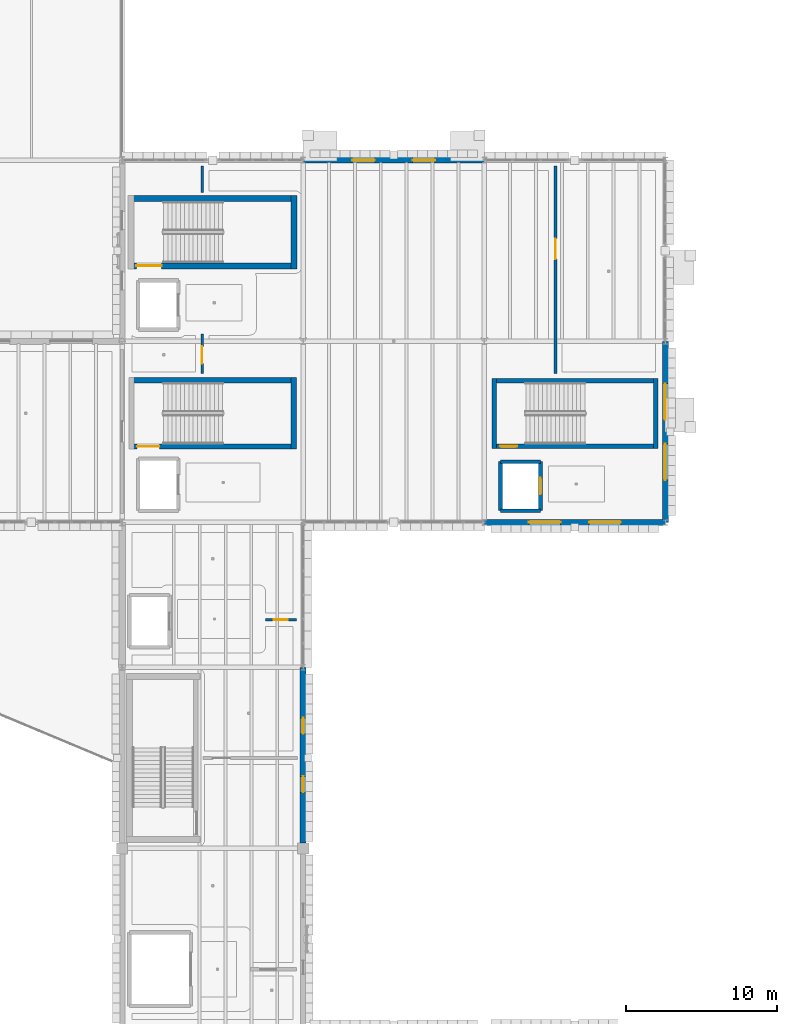
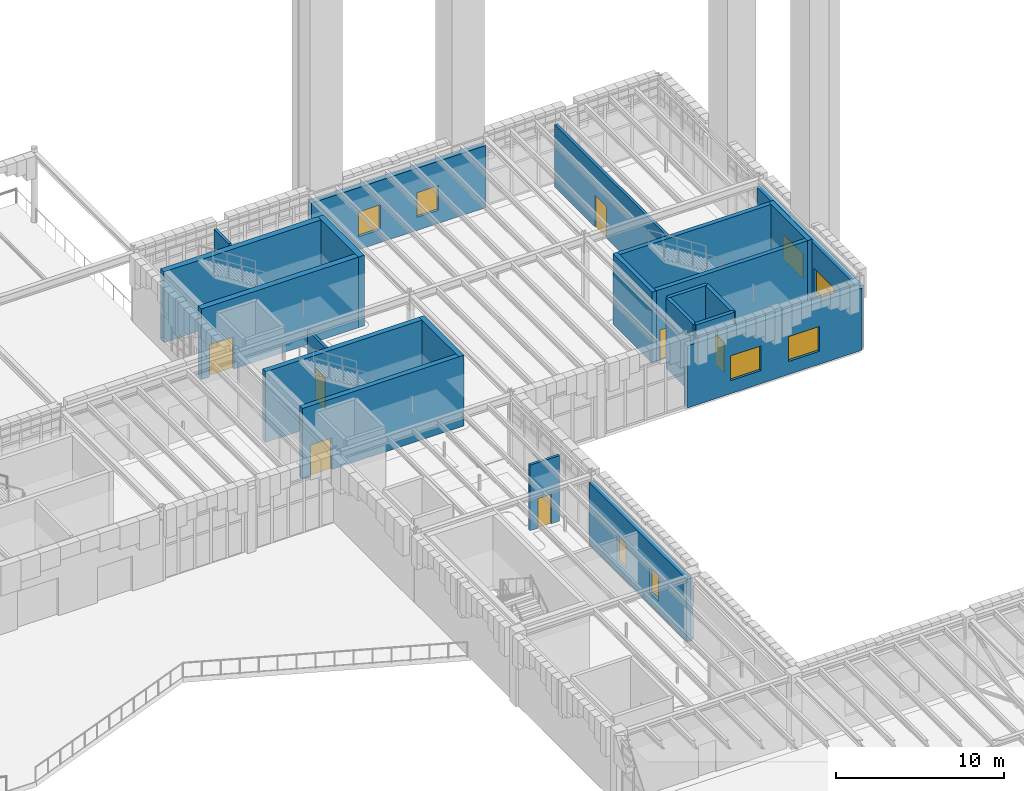
# One storey, part 57 of 103: 22 walls, 8 windows, 7 doors, 15 openings.
"""IFC4 building model written with IfcOpenShell, lengths in metres."""

from ifc_helpers import new_model, si_unit, direction, frame, frame_2d, origin, place, context, subcontext, project, spatial, rectangle, extrude, material, layer, layer_set, type_object, element, fill, save


model = new_model("IFC4")

# Units and contexts
model_context = context("Model", 3, precision=1e-05, world=origin(), true_north=direction((0.0, 1.0)))
body_context = subcontext(model_context, "Body", "Model", "MODEL_VIEW")
ifc_project = project(units=[si_unit("LENGTHUNIT", "METRE"), si_unit("AREAUNIT", "SQUARE_METRE"), si_unit("VOLUMEUNIT", "CUBIC_METRE"), si_unit("PLANEANGLEUNIT", "RADIAN"), si_unit("MASSUNIT", "GRAM", prefix="KILO")], contexts=[model_context])

# Site, building, storey
site_placement = place(None, origin())
site = spatial("IfcSite", under=ifc_project, at=site_placement, CompositionType="ELEMENT")
building_placement = place(site_placement, origin())
building = spatial("IfcBuilding", under=site, at=building_placement, Name="Zlatogorsky Bluff Art Gallery", CompositionType="ELEMENT")
storey_placement = place(building_placement, origin())
storey = spatial("IfcBuildingStorey", under=building, at=storey_placement, Name="L00", CompositionType="ELEMENT", Elevation=0.0)

# Wall, openings, windows
ifc_material_1 = material(Name="Precast concrete C40/50", Category="concrete")
ifc_layer_1 = layer(ifc_material_1, 0.39990234375)
ifc_layer_set_1 = layer_set([ifc_layer_1], Name="Exterior Wall EW-02 400mm")
wall_type_1 = type_object("IfcWallType", Name="Exterior Wall EW-02 400mm", PredefinedType="SOLIDWALL", material=ifc_layer_set_1)
wall_1_placement = place(storey_placement, frame((132.0, 62.77001953125, 0.0), z_axis=(0.0, 0.0, 1.0), x_axis=(0.0, 1.0, 0.0)))
wall_1 = element("IfcWall", 1, at=wall_1_placement, inside=storey, type_object=wall_type_1, Name="Exterior wall EW-02 L00 E 10.6", PredefinedType="SOLIDWALL", context=body_context, shape_type="SweptSolid", body=[
    extrude(rectangle(XDim=11.6298828125, YDim=0.39990234375, at=frame_2d((5.81494140625, 0.0))), origin(), (0.0, 0.0, 1.0), 4.56005859375),
])
opening_1_placement = place(wall_1_placement, frame((3.35205078125, 0.0, 0.949951171875)))
opening_1 = element("IfcOpeningElement", 2, at=opening_1_placement, cuts=wall_1, Name="Opening WN-14", PredefinedType="OPENING", context=body_context, shape_type="SweptSolid", body=[
    extrude(rectangle(XDim=1.050048828125, YDim=1.800048828125, at=frame_2d((0.52490234375, 0.89990234375))), frame((0.0, 0.2099609375, 0.0), z_axis=(0.0, -1.0, 0.0), x_axis=(1.0, 0.0, 0.0)), (0.0, 0.0, 1.0), 0.419921875),
])
opening_2_placement = place(wall_1_placement, frame((7.22802734375, 0.0, 0.949951171875)))
opening_2 = element("IfcOpeningElement", 3, at=opening_2_placement, cuts=wall_1, Name="Opening WN-14", PredefinedType="OPENING", context=body_context, shape_type="SweptSolid", body=[
    extrude(rectangle(XDim=1.050048828125, YDim=1.800048828125, at=frame_2d((0.52490234375, 0.89990234375))), frame((0.0, 0.2099609375, 0.0), z_axis=(0.0, -1.0, 0.0), x_axis=(1.0, 0.0, 0.0)), (0.0, 0.0, 1.0), 0.419921875),
])
ifc_material_2 = material(Name="Bronze-Anodised Aluminium Triple Glazing", Category="aluminium")
window_type_1 = type_object("IfcWindowType", Name="Pointed-Reveal Window WN-14 1050x1800", PartitioningType="SINGLE_PANEL", PredefinedType="WINDOW", material=ifc_material_2)
window_1_placement = place(opening_1_placement, origin())
window_1 = element("IfcWindow", 4, at=window_1_placement, inside=storey, type_object=window_type_1, Name="Window WN-14 L00.E.10.6.1", OverallHeight=1.800048828125, OverallWidth=1.050048828125, PartitioningType="SINGLE_PANEL", PredefinedType="WINDOW", context=body_context, shape_type="SweptSolid", body=[
    extrude(rectangle(XDim=1.050048828125, YDim=1.800048828125, at=frame_2d((0.52490234375, 0.89990234375))), frame((0.0, 0.030029296875, 0.0), z_axis=(0.0, -1.0, 0.0), x_axis=(1.0, 0.0, 0.0)), (0.0, 0.0, 1.0), 0.06005859375),
])
fill(opening_1, window_1)
window_2_placement = place(opening_2_placement, origin())
window_2 = element("IfcWindow", 5, at=window_2_placement, inside=storey, type_object=window_type_1, Name="Window WN-14 L00.E.10.6.2", OverallHeight=1.800048828125, OverallWidth=1.050048828125, PartitioningType="SINGLE_PANEL", PredefinedType="WINDOW", context=body_context, shape_type="SweptSolid", body=[
    extrude(rectangle(XDim=1.050048828125, YDim=1.800048828125, at=frame_2d((0.52490234375, 0.89990234375))), frame((0.0, 0.030029296875, 0.0), z_axis=(0.0, -1.0, 0.0), x_axis=(1.0, 0.0, 0.0)), (0.0, 0.0, 1.0), 0.06005859375),
])
fill(opening_2, window_2)

wall_2_placement = place(storey_placement, frame((144.0, 108.0, 0.0), z_axis=(0.0, 0.0, 1.0), x_axis=(-1.0, 0.0, 0.0)))
wall_2 = element("IfcWall", 6, at=wall_2_placement, inside=storey, type_object=wall_type_1, Name="Exterior wall EW-02 L00 N 11.9", PredefinedType="SOLIDWALL", context=body_context, shape_type="SweptSolid", body=[
    extrude(rectangle(XDim=12.0, YDim=0.39990234375, at=frame_2d((6.0, 0.0))), origin(), (0.0, 0.0, 1.0), 4.52001953125),
])
opening_3_placement = place(wall_2_placement, frame((3.25, 0.0, 0.949951171875)))
opening_3 = element("IfcOpeningElement", 7, at=opening_3_placement, cuts=wall_2, Name="Opening WN-17", PredefinedType="OPENING", context=body_context, shape_type="SweptSolid", body=[
    extrude(rectangle(XDim=1.5, YDim=1.800048828125, at=frame_2d((0.75, 0.89990234375))), frame((0.0, 0.2099609375, 0.0), z_axis=(0.0, -1.0, 0.0), x_axis=(1.0, 0.0, 0.0)), (0.0, 0.0, 1.0), 0.419921875),
])
opening_4_placement = place(wall_2_placement, frame((7.25, 0.0, 0.949951171875)))
opening_4 = element("IfcOpeningElement", 8, at=opening_4_placement, cuts=wall_2, Name="Opening WN-17", PredefinedType="OPENING", context=body_context, shape_type="SweptSolid", body=[
    extrude(rectangle(XDim=1.5, YDim=1.800048828125, at=frame_2d((0.75, 0.89990234375))), frame((0.0, 0.2099609375, 0.0), z_axis=(0.0, -1.0, 0.0), x_axis=(1.0, 0.0, 0.0)), (0.0, 0.0, 1.0), 0.419921875),
])
window_type_2 = type_object("IfcWindowType", Name="Pointed-Reveal Window WN-17 1500x1800", PartitioningType="SINGLE_PANEL", PredefinedType="WINDOW", material=ifc_material_2)
window_3_placement = place(opening_3_placement, origin())
window_3 = element("IfcWindow", 9, at=window_3_placement, inside=storey, type_object=window_type_2, Name="Window WN-17 L00.N.11.9.1", OverallHeight=1.800048828125, OverallWidth=1.5, PartitioningType="SINGLE_PANEL", PredefinedType="WINDOW", context=body_context, shape_type="SweptSolid", body=[
    extrude(rectangle(XDim=1.5, YDim=1.800048828125, at=frame_2d((0.75, 0.89990234375))), frame((0.0, 0.030029296875, 0.0), z_axis=(0.0, -1.0, 0.0), x_axis=(1.0, 0.0, 0.0)), (0.0, 0.0, 1.0), 0.06005859375),
])
fill(opening_3, window_3)
window_4_placement = place(opening_4_placement, origin())
window_4 = element("IfcWindow", 10, at=window_4_placement, inside=storey, type_object=window_type_2, Name="Window WN-17 L00.N.11.9.2", OverallHeight=1.800048828125, OverallWidth=1.5, PartitioningType="SINGLE_PANEL", PredefinedType="WINDOW", context=body_context, shape_type="SweptSolid", body=[
    extrude(rectangle(XDim=1.5, YDim=1.800048828125, at=frame_2d((0.75, 0.89990234375))), frame((0.0, 0.030029296875, 0.0), z_axis=(0.0, -1.0, 0.0), x_axis=(1.0, 0.0, 0.0)), (0.0, 0.0, 1.0), 0.06005859375),
])
fill(opening_4, window_4)

wall_3_placement = place(storey_placement, frame((144.0, 84.0, 0.0), z_axis=(0.0, 0.0, 1.0), x_axis=(1.0, 0.0, 0.0)))
wall_3 = element("IfcWall", 11, at=wall_3_placement, inside=storey, type_object=wall_type_1, Name="Exterior wall EW-02 L00 S 12.8", PredefinedType="SOLIDWALL", context=body_context, shape_type="SweptSolid", body=[
    extrude(rectangle(XDim=12.0, YDim=0.39990234375, at=frame_2d((6.0, 0.0))), origin(), (0.0, 0.0, 1.0), 4.52001953125),
])
opening_5_placement = place(wall_3_placement, frame((2.949951171875, 0.0, 0.949951171875)))
opening_5 = element("IfcOpeningElement", 12, at=opening_5_placement, cuts=wall_3, Name="Opening WN-20", PredefinedType="OPENING", context=body_context, shape_type="SweptSolid", body=[
    extrude(rectangle(XDim=2.10009765625, YDim=1.800048828125, at=frame_2d((1.050048828125, 0.89990234375))), frame((0.0, 0.2099609375, 0.0), z_axis=(0.0, -1.0, 0.0), x_axis=(1.0, 0.0, 0.0)), (0.0, 0.0, 1.0), 0.419921875),
])
opening_6_placement = place(wall_3_placement, frame((6.949951171875, 0.0, 0.949951171875)))
opening_6 = element("IfcOpeningElement", 13, at=opening_6_placement, cuts=wall_3, Name="Opening WN-20", PredefinedType="OPENING", context=body_context, shape_type="SweptSolid", body=[
    extrude(rectangle(XDim=2.10009765625, YDim=1.800048828125, at=frame_2d((1.050048828125, 0.89990234375))), frame((0.0, 0.2099609375, 0.0), z_axis=(0.0, -1.0, 0.0), x_axis=(1.0, 0.0, 0.0)), (0.0, 0.0, 1.0), 0.419921875),
])
window_type_3 = type_object("IfcWindowType", Name="Pointed-Reveal Window WN-20 2100x1800", PartitioningType="SINGLE_PANEL", PredefinedType="WINDOW", material=ifc_material_2)
window_5_placement = place(opening_5_placement, origin())
window_5 = element("IfcWindow", 14, at=window_5_placement, inside=storey, type_object=window_type_3, Name="Window WN-20 L00.S.12.8.1", OverallHeight=1.800048828125, OverallWidth=2.10009765625, PartitioningType="SINGLE_PANEL", PredefinedType="WINDOW", context=body_context, shape_type="SweptSolid", body=[
    extrude(rectangle(XDim=2.10009765625, YDim=1.800048828125, at=frame_2d((1.050048828125, 0.89990234375))), frame((0.0, 0.030029296875, 0.0), z_axis=(0.0, -1.0, 0.0), x_axis=(1.0, 0.0, 0.0)), (0.0, 0.0, 1.0), 0.06005859375),
])
fill(opening_5, window_5)
window_6_placement = place(opening_6_placement, origin())
window_6 = element("IfcWindow", 15, at=window_6_placement, inside=storey, type_object=window_type_3, Name="Window WN-20 L00.S.12.8.2", OverallHeight=1.800048828125, OverallWidth=2.10009765625, PartitioningType="SINGLE_PANEL", PredefinedType="WINDOW", context=body_context, shape_type="SweptSolid", body=[
    extrude(rectangle(XDim=2.10009765625, YDim=1.800048828125, at=frame_2d((1.050048828125, 0.89990234375))), frame((0.0, 0.030029296875, 0.0), z_axis=(0.0, -1.0, 0.0), x_axis=(1.0, 0.0, 0.0)), (0.0, 0.0, 1.0), 0.06005859375),
])
fill(opening_6, window_6)

wall_4_placement = place(storey_placement, frame((156.0, 84.0, 0.0), z_axis=(0.0, 0.0, 1.0), x_axis=(0.0, 1.0, 0.0)))
wall_4 = element("IfcWall", 16, at=wall_4_placement, inside=storey, type_object=wall_type_1, Name="Exterior wall EW-02 L00 E 12.8", PredefinedType="SOLIDWALL", context=body_context, shape_type="SweptSolid", body=[
    extrude(rectangle(XDim=12.0, YDim=0.39990234375, at=frame_2d((6.0, 0.0))), origin(), (0.0, 0.0, 1.0), 4.52001953125),
])
opening_7_placement = place(wall_4_placement, frame((2.800048828125, 0.0, 0.949951171875)))
opening_7 = element("IfcOpeningElement", 17, at=opening_7_placement, cuts=wall_4, Name="Opening WN-21", PredefinedType="OPENING", context=body_context, shape_type="SweptSolid", body=[
    extrude(rectangle(XDim=2.39990234375, YDim=1.800048828125, at=frame_2d((1.199951171875, 0.89990234375))), frame((0.0, 0.2099609375, 0.0), z_axis=(0.0, -1.0, 0.0), x_axis=(1.0, 0.0, 0.0)), (0.0, 0.0, 1.0), 0.419921875),
])
opening_8_placement = place(wall_4_placement, frame((6.800048828125, 0.0, 0.949951171875)))
opening_8 = element("IfcOpeningElement", 18, at=opening_8_placement, cuts=wall_4, Name="Opening WN-21", PredefinedType="OPENING", context=body_context, shape_type="SweptSolid", body=[
    extrude(rectangle(XDim=2.39990234375, YDim=1.800048828125, at=frame_2d((1.199951171875, 0.89990234375))), frame((0.0, 0.2099609375, 0.0), z_axis=(0.0, -1.0, 0.0), x_axis=(1.0, 0.0, 0.0)), (0.0, 0.0, 1.0), 0.419921875),
])
window_type_4 = type_object("IfcWindowType", Name="Pointed-Reveal Window WN-21 2400x1800", PartitioningType="SINGLE_PANEL", PredefinedType="WINDOW", material=ifc_material_2)
window_7_placement = place(opening_7_placement, origin())
window_7 = element("IfcWindow", 19, at=window_7_placement, inside=storey, type_object=window_type_4, Name="Window WN-21 L00.E.12.8.1", OverallHeight=1.800048828125, OverallWidth=2.39990234375, PartitioningType="SINGLE_PANEL", PredefinedType="WINDOW", context=body_context, shape_type="SweptSolid", body=[
    extrude(rectangle(XDim=2.39990234375, YDim=1.800048828125, at=frame_2d((1.199951171875, 0.89990234375))), frame((0.0, 0.030029296875, 0.0), z_axis=(0.0, -1.0, 0.0), x_axis=(1.0, 0.0, 0.0)), (0.0, 0.0, 1.0), 0.06005859375),
])
fill(opening_7, window_7)
window_8_placement = place(opening_8_placement, origin())
window_8 = element("IfcWindow", 20, at=window_8_placement, inside=storey, type_object=window_type_4, Name="Window WN-21 L00.E.12.8.2", OverallHeight=1.800048828125, OverallWidth=2.39990234375, PartitioningType="SINGLE_PANEL", PredefinedType="WINDOW", context=body_context, shape_type="SweptSolid", body=[
    extrude(rectangle(XDim=2.39990234375, YDim=1.800048828125, at=frame_2d((1.199951171875, 0.89990234375))), frame((0.0, 0.030029296875, 0.0), z_axis=(0.0, -1.0, 0.0), x_axis=(1.0, 0.0, 0.0)), (0.0, 0.0, 1.0), 0.06005859375),
])
fill(opening_8, window_8)

# Wall, opening, door
ifc_material_3 = material(Name="Concrete C30/37", Category="concrete")
ifc_layer_2 = layer(ifc_material_3, 0.179931640625)
ifc_layer_set_2 = layer_set([ifc_layer_2], Name="Interior Wall IW-02 180mm")
wall_type_2 = type_object("IfcWallType", Name="Interior Wall IW-02 180mm", PredefinedType="PARTITIONING", material=ifc_layer_set_2)
wall_5_placement = place(storey_placement, frame((129.510009765625, 77.544921875, 0.0), z_axis=(0.0, 0.0, 1.0), x_axis=(1.0, 0.0, 0.0)))
wall_5 = element("IfcWall", 21, at=wall_5_placement, inside=storey, type_object=wall_type_2, Name="Partition IW-02 between L00-C2-13 and L00-C2-14", PredefinedType="PARTITIONING", context=body_context, shape_type="SweptSolid", body=[
    extrude(rectangle(XDim=2.0400390625, YDim=0.179931640625, at=frame_2d((1.02001953125, 0.0))), origin(), (0.0, 0.0, 1.0), 4.760009765625),
])
opening_9_placement = place(wall_5_placement, frame((0.5400390625, 0.0, 0.0)))
opening_9 = element("IfcOpeningElement", 22, at=opening_9_placement, cuts=wall_5, Name="Opening ID-01", PredefinedType="OPENING", context=body_context, shape_type="SweptSolid", body=[
    extrude(rectangle(XDim=0.919921875, YDim=2.14990234375, at=frame_2d((0.4599609375, 1.074951171875))), frame((0.0, 0.099853515625, 0.0), z_axis=(0.0, -1.0, 0.0), x_axis=(1.0, 0.0, 0.0)), (0.0, 0.0, 1.0), 0.199951171875),
])
ifc_material_4 = material(Name="Anodised Aluminium and Laminated Timber", Category="wood")
door_type_1 = type_object("IfcDoorType", Name="Interior Door ID-01 920x2150", OperationType="SINGLE_SWING_LEFT", PredefinedType="DOOR", material=ifc_material_4)
door_1_placement = place(opening_9_placement, origin())
door_1 = element("IfcDoor", 23, at=door_1_placement, inside=storey, type_object=door_type_1, Name="Door ID-01 L00-C2-13-L00-C2-14", OperationType="SINGLE_SWING_LEFT", OverallHeight=2.14990234375, OverallWidth=0.919921875, PredefinedType="DOOR", context=body_context, shape_type="SweptSolid", body=[
    extrude(rectangle(XDim=0.919921875, YDim=2.14990234375, at=frame_2d((0.4599609375, 1.074951171875))), frame((0.0, 0.02490234375, 0.0), z_axis=(0.0, -1.0, 0.0), x_axis=(1.0, 0.0, 0.0)), (0.0, 0.0, 1.0), 0.050048828125),
])
fill(opening_9, door_1)

wall_6_placement = place(storey_placement, frame((125.304931640625, 93.8701171875, 0.0), z_axis=(0.0, 0.0, 1.0), x_axis=(0.0, 1.0, 0.0)))
wall_6 = element("IfcWall", 24, at=wall_6_placement, inside=storey, type_object=wall_type_2, Name="Partition IW-02 between L00-ST-11 and L00-ST-12-S1", PredefinedType="PARTITIONING", context=body_context, shape_type="SweptSolid", body=[
    extrude(rectangle(XDim=2.60986328125, YDim=0.179931640625, at=frame_2d((1.304931640625, 0.0))), origin(), (0.0, 0.0, 1.0), 4.530029296875),
])
opening_10_placement = place(wall_6_placement, frame((0.64990234375, 0.0, 0.0)))
opening_10 = element("IfcOpeningElement", 25, at=opening_10_placement, cuts=wall_6, Name="Opening ID-06", PredefinedType="OPENING", context=body_context, shape_type="SweptSolid", body=[
    extrude(rectangle(XDim=1.14990234375, YDim=2.25, at=frame_2d((0.574951171875, 1.125))), frame((0.0, 0.099853515625, 0.0), z_axis=(0.0, -1.0, 0.0), x_axis=(1.0, 0.0, 0.0)), (0.0, 0.0, 1.0), 0.199951171875),
])
door_type_2 = type_object("IfcDoorType", Name="Interior Door ID-06 1150x2250", OperationType="SINGLE_SWING_LEFT", PredefinedType="DOOR", material=ifc_material_4)
door_2_placement = place(opening_10_placement, origin())
door_2 = element("IfcDoor", 26, at=door_2_placement, inside=storey, type_object=door_type_2, Name="Door ID-06 L00-ST-11-L00-ST-12-S1", OperationType="SINGLE_SWING_RIGHT", OverallHeight=2.25, OverallWidth=1.14990234375, PredefinedType="DOOR", context=body_context, shape_type="SweptSolid", body=[
    extrude(rectangle(XDim=1.14990234375, YDim=2.25, at=frame_2d((0.574951171875, 1.125))), frame((0.0, 0.02490234375, 0.0), z_axis=(0.0, -1.0, 0.0), x_axis=(1.0, 0.0, 0.0)), (0.0, 0.0, 1.0), 0.050048828125),
])
fill(opening_10, door_2)

# Wall
wall_7_placement = place(storey_placement, frame((125.304931640625, 105.8701171875, 0.0), z_axis=(0.0, 0.0, 1.0), x_axis=(0.0, 1.0, 0.0)))
element("IfcWall", 27, at=wall_7_placement, inside=storey, type_object=wall_type_2, Name="Partition IW-02 between L00-ST-11 and L00-ST-12-S2", PredefinedType="PARTITIONING", context=body_context, shape_type="SweptSolid", body=[
    extrude(rectangle(XDim=1.75, YDim=0.179931640625, at=frame_2d((0.875, 0.0))), origin(), (0.0, 0.0, 1.0), 5.1201171875),
])

# Wall, opening, door
wall_8_placement = place(storey_placement, frame((148.710693359375, 93.8701171875, 0.0), z_axis=(0.0, 0.0, 1.0), x_axis=(0.0, 1.0, 0.0)))
wall_8 = element("IfcWall", 28, at=wall_8_placement, inside=storey, type_object=wall_type_2, Name="Partition IW-02 between L00-ST-12 and L00-ST-13", PredefinedType="PARTITIONING", context=body_context, shape_type="SweptSolid", body=[
    extrude(rectangle(XDim=13.75, YDim=0.179931640625, at=frame_2d((6.875, 0.0))), origin(), (0.0, 0.0, 1.0), 4.530029296875),
])
opening_11_placement = place(wall_8_placement, frame((7.574951171875, 0.0, 0.0)))
opening_11 = element("IfcOpeningElement", 29, at=opening_11_placement, cuts=wall_8, Name="Opening ID-08", PredefinedType="OPENING", context=body_context, shape_type="SweptSolid", body=[
    extrude(rectangle(XDim=1.35009765625, YDim=2.300048828125, at=frame_2d((0.675048828125, 1.14990234375))), frame((0.0, 0.099853515625, 0.0), z_axis=(0.0, -1.0, 0.0), x_axis=(1.0, 0.0, 0.0)), (0.0, 0.0, 1.0), 0.199951171875),
])
door_type_3 = type_object("IfcDoorType", Name="Interior Door ID-08 1350x2300", OperationType="DOUBLE_SWING_LEFT", PredefinedType="DOOR", material=ifc_material_4)
door_3_placement = place(opening_11_placement, origin())
door_3 = element("IfcDoor", 30, at=door_3_placement, inside=storey, type_object=door_type_3, Name="Door ID-08 L00-ST-12-L00-ST-13", OperationType="DOUBLE_SWING_LEFT", OverallHeight=2.300048828125, OverallWidth=1.35009765625, PredefinedType="DOOR", context=body_context, shape_type="SweptSolid", body=[
    extrude(rectangle(XDim=1.35009765625, YDim=2.300048828125, at=frame_2d((0.675048828125, 1.14990234375))), frame((0.0, 0.02490234375, 0.0), z_axis=(0.0, -1.0, 0.0), x_axis=(1.0, 0.0, 0.0)), (0.0, 0.0, 1.0), 0.050048828125),
])
fill(opening_11, door_3)

# Wall
ifc_material_5 = material(Name="Concrete C35/45", Category="concrete")
ifc_layer_3 = layer(ifc_material_5, 0.25)
ifc_layer_set_3 = layer_set([ifc_layer_3], Name="Interior Wall IW-05 250mm")
wall_type_3 = type_object("IfcWallType", Name="Interior Wall IW-05 250mm", PredefinedType="SOLIDWALL", material=ifc_layer_set_3)
wall_9_placement = place(storey_placement, frame((145.074951171875, 84.77490234375, 0.0), z_axis=(0.0, 0.0, 1.0), x_axis=(1.0, 0.0, 0.0)))
element("IfcWall", 31, at=wall_9_placement, inside=storey, type_object=wall_type_3, Name="Lift PL-2 shaft wall L00 S", PredefinedType="SOLIDWALL", context=body_context, shape_type="SweptSolid", body=[
    extrude(rectangle(XDim=2.650146484375, YDim=0.25, at=frame_2d((1.3251953125, 0.0))), origin(), (0.0, 0.0, 1.0), 5.139892578125),
])

# Wall, opening, door
wall_10_placement = place(storey_placement, frame((147.72509765625, 84.77490234375, 0.0), z_axis=(0.0, 0.0, 1.0), x_axis=(0.0, 1.0, 0.0)))
wall_10 = element("IfcWall", 32, at=wall_10_placement, inside=storey, type_object=wall_type_3, Name="Lift PL-2 shaft wall L00 E", PredefinedType="SOLIDWALL", context=body_context, shape_type="SweptSolid", body=[
    extrude(rectangle(XDim=3.25, YDim=0.25, at=frame_2d((1.625, 0.0))), origin(), (0.0, 0.0, 1.0), 5.139892578125),
])
opening_12_placement = place(wall_10_placement, frame((1.074951171875, 0.0, 0.0)))
opening_12 = element("IfcOpeningElement", 33, at=opening_12_placement, cuts=wall_10, Name="Opening LD-01", PredefinedType="OPENING", context=body_context, shape_type="SweptSolid", body=[
    extrude(rectangle(XDim=1.10009765625, YDim=2.199951171875, at=frame_2d((0.550048828125, 1.10009765625))), frame((0.0, 0.135009765625, 0.0), z_axis=(0.0, -1.0, 0.0), x_axis=(1.0, 0.0, 0.0)), (0.0, 0.0, 1.0), 0.27001953125),
])
door_type_4 = type_object("IfcDoorType", Name="Interior Door LD-01 1100x2200", OperationType="SLIDING_TO_LEFT", PredefinedType="DOOR", material=ifc_material_4)
door_4_placement = place(opening_12_placement, origin())
door_4 = element("IfcDoor", 34, at=door_4_placement, inside=storey, type_object=door_type_4, Name="Lift PL-2 sliding landing door L00", OperationType="SLIDING_TO_LEFT", OverallHeight=2.199951171875, OverallWidth=1.10009765625, PredefinedType="DOOR", context=body_context, shape_type="SweptSolid", body=[
    extrude(rectangle(XDim=1.10009765625, YDim=2.199951171875, at=frame_2d((0.550048828125, 1.10009765625))), frame((0.0, 0.02490234375, 0.0), z_axis=(0.0, -1.0, 0.0), x_axis=(1.0, 0.0, 0.0)), (0.0, 0.0, 1.0), 0.050048828125),
])
fill(opening_12, door_4)

# Walls
wall_11_placement = place(storey_placement, frame((147.72509765625, 88.02490234375, 0.0), z_axis=(0.0, 0.0, 1.0), x_axis=(-1.0, 0.0, 0.0)))
element("IfcWall", 35, at=wall_11_placement, inside=storey, type_object=wall_type_3, Name="Lift PL-2 shaft wall L00 N", PredefinedType="SOLIDWALL", context=body_context, shape_type="SweptSolid", body=[
    extrude(rectangle(XDim=2.650146484375, YDim=0.25, at=frame_2d((1.3251953125, 0.0))), origin(), (0.0, 0.0, 1.0), 5.139892578125),
])
wall_12_placement = place(storey_placement, frame((145.074951171875, 88.02490234375, 0.0), z_axis=(0.0, 0.0, 1.0), x_axis=(0.0, -1.0, 0.0)))
element("IfcWall", 36, at=wall_12_placement, inside=storey, type_object=wall_type_3, Name="Lift PL-2 shaft wall L00 W", PredefinedType="SOLIDWALL", context=body_context, shape_type="SweptSolid", body=[
    extrude(rectangle(XDim=3.25, YDim=0.25, at=frame_2d((1.625, 0.0))), origin(), (0.0, 0.0, 1.0), 5.139892578125),
])

# Wall, opening, door
ifc_layer_4 = layer(ifc_material_5, 0.300048828125)
ifc_layer_set_4 = layer_set([ifc_layer_4], Name="Interior Wall SW-01 300mm")
wall_type_4 = type_object("IfcWallType", Name="Interior Wall SW-01 300mm", PredefinedType="SHEAR", material=ifc_layer_set_4)
wall_13_placement = place(storey_placement, frame((144.5, 89.050048828125, 0.0), z_axis=(0.0, 0.0, 1.0), x_axis=(1.0, 0.0, 0.0)))
wall_13 = element("IfcWall", 37, at=wall_13_placement, inside=storey, type_object=wall_type_4, Name="Stair ST-04 enclosure wall L00 W0", PredefinedType="SHEAR", context=body_context, shape_type="SweptSolid", body=[
    extrude(rectangle(XDim=11.0, YDim=0.300048828125, at=frame_2d((5.5, 0.0))), origin(), (0.0, 0.0, 1.0), 5.139892578125),
])
opening_13_placement = place(wall_13_placement, frame((0.550048828125, 0.0, 0.0)))
opening_13 = element("IfcOpeningElement", 38, at=opening_13_placement, cuts=wall_13, Name="Opening FD-01", PredefinedType="OPENING", context=body_context, shape_type="SweptSolid", body=[
    extrude(rectangle(XDim=1.1201171875, YDim=2.199951171875, at=frame_2d((0.56005859375, 1.10009765625))), frame((0.0, 0.159912109375, 0.0), z_axis=(0.0, -1.0, 0.0), x_axis=(1.0, 0.0, 0.0)), (0.0, 0.0, 1.0), 0.320068359375),
])
door_type_5 = type_object("IfcDoorType", Name="Interior Door FD-01 1120x2200", OperationType="SINGLE_SWING_LEFT", PredefinedType="DOOR", material=ifc_material_4)
door_5_placement = place(opening_13_placement, frame((1.1201171875, 0.0, 0.0), z_axis=(0.0, 0.0, 1.0), x_axis=(-1.0, 0.0, 0.0)))
door_5 = element("IfcDoor", 39, at=door_5_placement, inside=storey, type_object=door_type_5, Name="Stair ST-04 fire door L00", OperationType="SINGLE_SWING_LEFT", OverallHeight=2.199951171875, OverallWidth=1.1201171875, PredefinedType="DOOR", context=body_context, shape_type="SweptSolid", body=[
    extrude(rectangle(XDim=1.1201171875, YDim=2.199951171875, at=frame_2d((0.56005859375, 1.10009765625))), frame((0.0, 0.02490234375, 0.0), z_axis=(0.0, -1.0, 0.0), x_axis=(1.0, 0.0, 0.0)), (0.0, 0.0, 1.0), 0.050048828125),
])
fill(opening_13, door_5)

# Walls
wall_14_placement = place(storey_placement, frame((155.35009765625, 88.89990234375, 0.0), z_axis=(0.0, 0.0, 1.0), x_axis=(0.0, 1.0, 0.0)))
element("IfcWall", 40, at=wall_14_placement, inside=storey, type_object=wall_type_4, Name="Stair ST-04 enclosure wall L00 FEND", PredefinedType="SHEAR", context=body_context, shape_type="SweptSolid", body=[
    extrude(rectangle(XDim=4.650146484375, YDim=0.300048828125, at=frame_2d((2.3251953125, 0.0))), origin(), (0.0, 0.0, 1.0), 5.139892578125),
])
wall_15_placement = place(storey_placement, frame((155.5, 93.39990234375, 0.0), z_axis=(0.0, 0.0, 1.0), x_axis=(-1.0, 0.0, 0.0)))
element("IfcWall", 41, at=wall_15_placement, inside=storey, type_object=wall_type_4, Name="Stair ST-04 enclosure wall L00 W1", PredefinedType="SHEAR", context=body_context, shape_type="SweptSolid", body=[
    extrude(rectangle(XDim=11.0, YDim=0.300048828125, at=frame_2d((5.5, 0.0))), origin(), (0.0, 0.0, 1.0), 5.139892578125),
])
wall_16_placement = place(storey_placement, frame((144.64990234375, 93.550048828125, 0.0), z_axis=(0.0, 0.0, 1.0), x_axis=(0.0, -1.0, 0.0)))
element("IfcWall", 42, at=wall_16_placement, inside=storey, type_object=wall_type_4, Name="Stair ST-04 enclosure wall L00 LEND", PredefinedType="SHEAR", context=body_context, shape_type="SweptSolid", body=[
    extrude(rectangle(XDim=4.650146484375, YDim=0.300048828125, at=frame_2d((2.3251953125, 0.0))), origin(), (0.0, 0.0, 1.0), 5.139892578125),
])

# Wall, opening, door
ifc_layer_5 = layer(ifc_material_5, 0.35009765625)
ifc_layer_set_5 = layer_set([ifc_layer_5], Name="Interior Wall SW-02 350mm")
wall_type_5 = type_object("IfcWallType", Name="Interior Wall SW-02 350mm", PredefinedType="SHEAR", material=ifc_layer_set_5)
wall_17_placement = place(storey_placement, frame((120.449951171875, 89.02490234375, 0.0), z_axis=(0.0, 0.0, 1.0), x_axis=(1.0, 0.0, 0.0)))
wall_17 = element("IfcWall", 43, at=wall_17_placement, inside=storey, type_object=wall_type_5, Name="Stair ST-02 enclosure wall L00 W0", PredefinedType="SHEAR", context=body_context, shape_type="SweptSolid", body=[
    extrude(rectangle(XDim=11.10009765625, YDim=0.35009765625, at=frame_2d((5.550048828125, 0.0))), origin(), (0.0, 0.0, 1.0), 5.139892578125),
])
opening_14_placement = place(wall_17_placement, frame((0.550048828125, 0.0, 0.0)))
opening_14 = element("IfcOpeningElement", 44, at=opening_14_placement, cuts=wall_17, Name="Opening FD-03", PredefinedType="OPENING", context=body_context, shape_type="SweptSolid", body=[
    extrude(rectangle(XDim=1.47998046875, YDim=2.300048828125, at=frame_2d((0.739990234375, 1.14990234375))), frame((0.0, 0.18505859375, 0.0), z_axis=(0.0, -1.0, 0.0), x_axis=(1.0, 0.0, 0.0)), (0.0, 0.0, 1.0), 0.3701171875),
])
door_type_6 = type_object("IfcDoorType", Name="Interior Door FD-03 1480x2300", OperationType="DOUBLE_DOOR_SINGLE_SWING", PredefinedType="DOOR", material=ifc_material_4)
door_6_placement = place(opening_14_placement, frame((1.47998046875, 0.0, 0.0), z_axis=(0.0, 0.0, 1.0), x_axis=(-1.0, 0.0, 0.0)))
door_6 = element("IfcDoor", 45, at=door_6_placement, inside=storey, type_object=door_type_6, Name="Stair ST-02 fire door L00", OperationType="DOUBLE_DOOR_SINGLE_SWING", OverallHeight=2.300048828125, OverallWidth=1.47998046875, PredefinedType="DOOR", context=body_context, shape_type="SweptSolid", body=[
    extrude(rectangle(XDim=1.47998046875, YDim=2.300048828125, at=frame_2d((0.739990234375, 1.14990234375))), frame((0.0, 0.02490234375, 0.0), z_axis=(0.0, -1.0, 0.0), x_axis=(1.0, 0.0, 0.0)), (0.0, 0.0, 1.0), 0.050048828125),
])
fill(opening_14, door_6)

# Walls
wall_18_placement = place(storey_placement, frame((131.375, 88.85009765625, 0.0), z_axis=(0.0, 0.0, 1.0), x_axis=(0.0, 1.0, 0.0)))
element("IfcWall", 46, at=wall_18_placement, inside=storey, type_object=wall_type_5, Name="Stair ST-02 enclosure wall L00 FEND", PredefinedType="SHEAR", context=body_context, shape_type="SweptSolid", body=[
    extrude(rectangle(XDim=4.75, YDim=0.35009765625, at=frame_2d((2.375, 0.0))), origin(), (0.0, 0.0, 1.0), 5.139892578125),
])
wall_19_placement = place(storey_placement, frame((131.550048828125, 93.425048828125, 0.0), z_axis=(0.0, 0.0, 1.0), x_axis=(-1.0, 0.0, 0.0)))
element("IfcWall", 47, at=wall_19_placement, inside=storey, type_object=wall_type_5, Name="Stair ST-02 enclosure wall L00 W1", PredefinedType="SHEAR", context=body_context, shape_type="SweptSolid", body=[
    extrude(rectangle(XDim=11.10009765625, YDim=0.35009765625, at=frame_2d((5.550048828125, 0.0))), origin(), (0.0, 0.0, 1.0), 5.139892578125),
])

# Wall, opening, door
ifc_layer_6 = layer(ifc_material_5, 0.39990234375)
ifc_layer_set_6 = layer_set([ifc_layer_6], Name="Interior Wall SW-03 400mm")
wall_type_6 = type_object("IfcWallType", Name="Interior Wall SW-03 400mm", PredefinedType="SHEAR", material=ifc_layer_set_6)
wall_20_placement = place(storey_placement, frame((120.39990234375, 101.0, 0.0), z_axis=(0.0, 0.0, 1.0), x_axis=(1.0, 0.0, 0.0)))
wall_20 = element("IfcWall", 48, at=wall_20_placement, inside=storey, type_object=wall_type_6, Name="Stair ST-03 enclosure wall L00 W0", PredefinedType="SHEAR", context=body_context, shape_type="SweptSolid", body=[
    extrude(rectangle(XDim=11.2001953125, YDim=0.39990234375, at=frame_2d((5.60009765625, 0.0))), origin(), (0.0, 0.0, 1.0), 5.139892578125),
])
opening_15_placement = place(wall_20_placement, frame((0.550048828125, 0.0, 0.0)))
opening_15 = element("IfcOpeningElement", 49, at=opening_15_placement, cuts=wall_20, Name="Opening FD-04", PredefinedType="OPENING", context=body_context, shape_type="SweptSolid", body=[
    extrude(rectangle(XDim=1.679931640625, YDim=2.35009765625, at=frame_2d((0.83984375, 1.175048828125))), frame((0.0, 0.2099609375, 0.0), z_axis=(0.0, -1.0, 0.0), x_axis=(1.0, 0.0, 0.0)), (0.0, 0.0, 1.0), 0.419921875),
])
door_type_7 = type_object("IfcDoorType", Name="Interior Door FD-04 1680x2350", OperationType="DOUBLE_DOOR_SINGLE_SWING", PredefinedType="DOOR", material=ifc_material_4)
door_7_placement = place(opening_15_placement, frame((1.679931640625, 0.0, 0.0), z_axis=(0.0, 0.0, 1.0), x_axis=(-1.0, 0.0, 0.0)))
door_7 = element("IfcDoor", 50, at=door_7_placement, inside=storey, type_object=door_type_7, Name="Stair ST-03 fire door L00", OperationType="DOUBLE_DOOR_SINGLE_SWING", OverallHeight=2.35009765625, OverallWidth=1.679931640625, PredefinedType="DOOR", context=body_context, shape_type="SweptSolid", body=[
    extrude(rectangle(XDim=1.679931640625, YDim=2.35009765625, at=frame_2d((0.83984375, 1.175048828125))), frame((0.0, 0.02490234375, 0.0), z_axis=(0.0, -1.0, 0.0), x_axis=(1.0, 0.0, 0.0)), (0.0, 0.0, 1.0), 0.050048828125),
])
fill(opening_15, door_7)

# Walls
wall_21_placement = place(storey_placement, frame((131.39990234375, 100.800048828125, 0.0), z_axis=(0.0, 0.0, 1.0), x_axis=(0.0, 1.0, 0.0)))
element("IfcWall", 51, at=wall_21_placement, inside=storey, type_object=wall_type_6, Name="Stair ST-03 enclosure wall L00 FEND", PredefinedType="SHEAR", context=body_context, shape_type="SweptSolid", body=[
    extrude(rectangle(XDim=4.849853515625, YDim=0.39990234375, at=frame_2d((2.4248046875, 0.0))), origin(), (0.0, 0.0, 1.0), 5.139892578125),
])
wall_22_placement = place(storey_placement, frame((131.60009765625, 105.449951171875, 0.0), z_axis=(0.0, 0.0, 1.0), x_axis=(-1.0, 0.0, 0.0)))
element("IfcWall", 52, at=wall_22_placement, inside=storey, type_object=wall_type_6, Name="Stair ST-03 enclosure wall L00 W1", PredefinedType="SHEAR", context=body_context, shape_type="SweptSolid", body=[
    extrude(rectangle(XDim=11.2001953125, YDim=0.39990234375, at=frame_2d((5.60009765625, 0.0))), origin(), (0.0, 0.0, 1.0), 5.139892578125),
])

save(model, "model.ifc")
